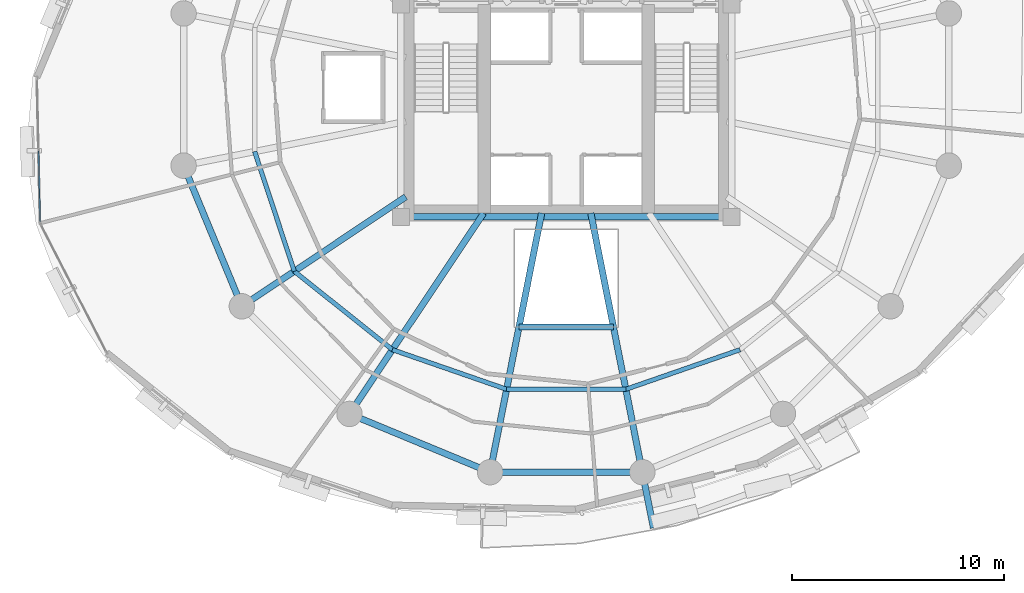
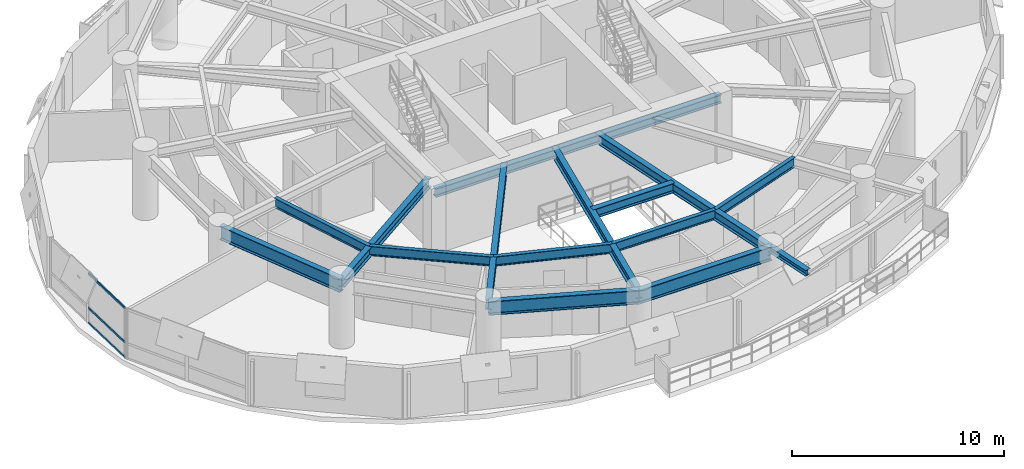
# One storey, part 3 of 15: 15 beams, 3 members, 1 element without a shape of its own.
"""IFC4 building model written with IfcOpenShell, lengths in metres."""

from ifc_helpers import new_model, si_unit, direction, frame, origin, origin_2d, place, context, subcontext, project, spatial, hollow_rectangle, i_section, extrude, material, layer, layer_set, material_profile, profile_set, type_object, element, aggregate, save


model = new_model("IFC4")

# Units and contexts
model_context = context("Model", 3, precision=1e-05, world=origin(), true_north=direction((0.0, 1.0)))
body_context = subcontext(model_context, "Body", "Model", "MODEL_VIEW")
ifc_project = project(units=[si_unit("LENGTHUNIT", "METRE"), si_unit("AREAUNIT", "SQUARE_METRE"), si_unit("VOLUMEUNIT", "CUBIC_METRE"), si_unit("PLANEANGLEUNIT", "RADIAN"), si_unit("MASSUNIT", "GRAM", prefix="KILO"), si_unit("THERMODYNAMICTEMPERATUREUNIT", "KELVIN"), si_unit("POWERUNIT", "WATT")], contexts=[model_context])

# Site, building, storey
site_placement = place(None, origin())
site = spatial("IfcSite", under=ifc_project, at=site_placement, CompositionType="ELEMENT")
building_placement = place(site_placement, origin())
building = spatial("IfcBuilding", under=site, at=building_placement, Name="Ocrelia Relay Tower", CompositionType="ELEMENT")
storey_placement = place(building_placement, frame((0.0, 0.0, 93.800048828125)))
storey = spatial("IfcBuildingStorey", under=building, at=storey_placement, Name="L21", CompositionType="ELEMENT", Elevation=93.800048828125)

# Beams
ifc_material_1 = material(Name="Steel S355", Category="steel")
ifc_material_profile_1 = material_profile(ifc_material_1, i_section(OverallWidth=0.300048828125, OverallDepth=0.330078125, WebThickness=0.009521484375, FlangeThickness=0.0166015625, FilletRadius=0.027099609375, at=origin_2d()), Name="HEA 340")
ifc_profile_set_1 = profile_set([ifc_material_profile_1], Name="Steel S355")
beam_type_1 = type_object("IfcBeamType", Name="BM-HEA340", PredefinedType="BEAM", material=ifc_profile_set_1)
beam_1_placement = place(storey_placement, frame((37.589599609375, 7.95361328125, 3.554931640625), z_axis=(0.19516852136, -0.980769722346, 0.0), x_axis=(0.980769722346, 0.19516852136, 0.0)))
element("IfcBeam", 1, at=beam_1_placement, inside=storey, type_object=beam_type_1, Name="L22 Balcony Cantilever Beam B2-1", PredefinedType="BEAM", context=body_context, shape_type="SweptSolid", body=[
    extrude(i_section(OverallWidth=0.300048828125, OverallDepth=0.330078125, WebThickness=0.009521484375, FlangeThickness=0.0166015625, FilletRadius=0.027099609375, at=origin_2d()), origin(), (0.0, 0.0, 1.0), 2.67578125),
])
ifc_material_profile_2 = material_profile(ifc_material_1, i_section(OverallWidth=0.300048828125, OverallDepth=0.5, WebThickness=0.014404296875, FlangeThickness=0.028076171875, FilletRadius=0.027099609375, at=origin_2d()), Name="HEB 500")
ifc_profile_set_2 = profile_set([ifc_material_profile_2], Name="Steel S355")
beam_type_2 = type_object("IfcBeamType", Name="BM-HEB500", PredefinedType="BEAM", material=ifc_profile_set_2)
beam_2_placement = place(storey_placement, frame((26.199951171875, 20.0, 3.469970703125), z_axis=(1.0, 0.0, 0.0), x_axis=(0.0, 1.0, 0.0)))
element("IfcBeam", 2, at=beam_2_placement, inside=storey, type_object=beam_type_2, Name="L21 Core Pilaster Tie Beam S", PredefinedType="BEAM", context=body_context, shape_type="SweptSolid", body=[
    extrude(i_section(OverallWidth=0.300048828125, OverallDepth=0.5, WebThickness=0.014404296875, FlangeThickness=0.028076171875, FilletRadius=0.027099609375, at=origin_2d()), origin(), (0.0, 0.0, 1.0), 15.60009765625),
])
ifc_material_profile_3 = material_profile(ifc_material_1, i_section(OverallWidth=0.300048828125, OverallDepth=0.550048828125, WebThickness=0.014892578125, FlangeThickness=0.029052734375, FilletRadius=0.027099609375, at=origin_2d()), Name="HEB 550")
ifc_profile_set_3 = profile_set([ifc_material_profile_3], Name="Steel S355")
beam_type_3 = type_object("IfcBeamType", Name="BM-HEB550", PredefinedType="BEAM", material=ifc_profile_set_3)
beam_3_placement = place(storey_placement, frame((18.700927734375, 15.777587890625, 3.445068359375), z_axis=(0.831472030531, 0.555566613868, 0.0), x_axis=(-0.555566613868, 0.831472030531, 0.0)))
element("IfcBeam", 3, at=beam_3_placement, inside=storey, type_object=beam_type_3, Name="L21 Radial Floor Girder R10", PredefinedType="BEAM", context=body_context, shape_type="SweptSolid", body=[
    extrude(i_section(OverallWidth=0.300048828125, OverallDepth=0.550048828125, WebThickness=0.014892578125, FlangeThickness=0.029052734375, FilletRadius=0.027099609375, at=origin_2d()), origin(), (0.0, 0.0, 1.0), 9.295654296875),
])
beam_4_placement = place(storey_placement, frame((23.777587890625, 10.700927734375, 3.445068359375), z_axis=(0.555565661158, 0.831472667105, 0.0), x_axis=(-0.831472667105, 0.555565661158, 0.0)))
element("IfcBeam", 4, at=beam_4_placement, inside=storey, type_object=beam_type_3, Name="L21 Radial Floor Girder R11", PredefinedType="BEAM", context=body_context, shape_type="SweptSolid", body=[
    extrude(i_section(OverallWidth=0.300048828125, OverallDepth=0.550048828125, WebThickness=0.014892578125, FlangeThickness=0.029052734375, FilletRadius=0.027099609375, at=origin_2d()), origin(), (0.0, 0.0, 1.0), 11.38818359375),
])
for number, where, z_axis, x_axis, name in (
    (5, (30.410400390625, 7.95361328125, 3.445068359375), (0.195086983979, 0.980785944374, 0.0), (-0.980785944374, 0.195086983979, 0.0), "L21 Radial Floor Girder R12"),
    (6, (37.589599609375, 7.95361328125, 3.445068359375), (-0.195086983979, 0.980785944374, 0.0), (-0.980785944374, -0.195086983979, 0.0), "L21 Radial Floor Girder R13"),
):
    element("IfcBeam", number, at=place(storey_placement, frame(where, z_axis=z_axis, x_axis=x_axis)), inside=storey, type_object=beam_type_3, Name=name, PredefinedType="BEAM", context=body_context, shape_type="SweptSolid", body=[
        extrude(i_section(OverallWidth=0.300048828125, OverallDepth=0.550048828125, WebThickness=0.014892578125, FlangeThickness=0.029052734375, FilletRadius=0.027099609375, at=origin_2d()), origin(), (0.0, 0.0, 1.0), 12.45556640625),
    ])
beam_5_placement = place(storey_placement, frame((31.772216796875, 14.800048828125, 3.445068359375), z_axis=(1.0, 0.0, 0.0), x_axis=(0.0, 1.0, 0.0)))
element("IfcBeam", 7, at=beam_5_placement, inside=storey, type_object=beam_type_3, Name="L21 Atrium South Trimmer Beam", PredefinedType="BEAM", context=body_context, shape_type="SweptSolid", body=[
    extrude(i_section(OverallWidth=0.300048828125, OverallDepth=0.550048828125, WebThickness=0.014892578125, FlangeThickness=0.029052734375, FilletRadius=0.027099609375, at=origin_2d()), origin(), (0.0, 0.0, 1.0), 4.45556640625),
])
ifc_material_profile_4 = material_profile(ifc_material_1, i_section(OverallWidth=0.300048828125, OverallDepth=0.800048828125, WebThickness=0.017578125, FlangeThickness=0.032958984375, FilletRadius=0.030029296875, at=origin_2d()), Name="HEB 800")
ifc_profile_set_4 = profile_set([ifc_material_profile_4], Name="Steel S355")
beam_type_4 = type_object("IfcBeamType", Name="BM-HEB800", PredefinedType="BEAM", material=ifc_profile_set_4)
for number, where, z_axis, x_axis, name in (
    (8, (15.95361328125, 22.410400390625, 3.320068359375), (0.382673155247, -0.923883789366, 0.0), (0.923883789366, 0.382673155247, 0.0), "L21 Perimeter Spandrel Beam S09"),
    (9, (23.777587890625, 10.700927734375, 3.320068359375), (0.923883789366, -0.382673155247, 0.0), (0.382673155247, 0.923883789366, 0.0), "L21 Perimeter Spandrel Beam S11"),
    (10, (30.410400390625, 7.95361328125, 3.320068359375), (1.0, 0.0, 0.0), (0.0, 1.0, 0.0), "L21 Perimeter Spandrel Beam S12"),
):
    element("IfcBeam", number, at=place(storey_placement, frame(where, z_axis=z_axis, x_axis=x_axis)), inside=storey, type_object=beam_type_4, Name=name, PredefinedType="BEAM", context=body_context, shape_type="SweptSolid", body=[
        extrude(i_section(OverallWidth=0.300048828125, OverallDepth=0.800048828125, WebThickness=0.017578125, FlangeThickness=0.032958984375, FilletRadius=0.030029296875, at=origin_2d()), origin(), (0.0, 0.0, 1.0), 7.17919921875),
    ])
ifc_material_profile_5 = material_profile(ifc_material_1, i_section(OverallWidth=0.2099609375, OverallDepth=0.550048828125, WebThickness=0.010986328125, FlangeThickness=0.01708984375, FilletRadius=0.02392578125, at=origin_2d()), Name="IPE 550")
ifc_profile_set_5 = profile_set([ifc_material_profile_5], Name="Steel S355")
beam_type_5 = type_object("IfcBeamType", Name="BM-IPE550", PredefinedType="JOIST", material=ifc_profile_set_5)
beam_6_placement = place(storey_placement, frame((19.305908203125, 23.0771484375, 3.445068359375), z_axis=(0.314121352003, -0.949382839647, 0.0), x_axis=(0.949382839647, 0.314121352003, 0.0)))
element("IfcBeam", 11, at=beam_6_placement, inside=storey, type_object=beam_type_5, Name="L21 Secondary Floor Joist J09", PredefinedType="JOIST", context=body_context, shape_type="SweptSolid", body=[
    extrude(i_section(OverallWidth=0.2099609375, OverallDepth=0.550048828125, WebThickness=0.010986328125, FlangeThickness=0.01708984375, FilletRadius=0.02392578125, at=origin_2d()), origin(), (0.0, 0.0, 1.0), 5.947998046875),
])
beam_7_placement = place(storey_placement, frame((21.17431640625, 17.43017578125, 3.445068359375), z_axis=(0.781130070991, -0.62436833055, 0.0), x_axis=(0.62436833055, 0.781130070991, 0.0)))
element("IfcBeam", 12, at=beam_7_placement, inside=storey, type_object=beam_type_5, Name="L21 Secondary Floor Joist J10", PredefinedType="JOIST", context=body_context, shape_type="SweptSolid", body=[
    extrude(i_section(OverallWidth=0.2099609375, OverallDepth=0.550048828125, WebThickness=0.010986328125, FlangeThickness=0.01708984375, FilletRadius=0.02392578125, at=origin_2d()), origin(), (0.0, 0.0, 1.0), 5.92431640625),
])
beam_8_placement = place(storey_placement, frame((25.802001953125, 13.731201171875, 3.445068359375), z_axis=(0.944767437111, -0.327741498401, 0.0), x_axis=(0.327741498401, 0.944767437111, 0.0)))
element("IfcBeam", 13, at=beam_8_placement, inside=storey, type_object=beam_type_5, Name="L21 Secondary Floor Joist J11", PredefinedType="JOIST", context=body_context, shape_type="SweptSolid", body=[
    extrude(i_section(OverallWidth=0.2099609375, OverallDepth=0.550048828125, WebThickness=0.010986328125, FlangeThickness=0.01708984375, FilletRadius=0.02392578125, at=origin_2d()), origin(), (0.0, 0.0, 1.0), 5.700927734375),
])
beam_9_placement = place(storey_placement, frame((31.18798828125, 11.86279296875, 3.445068359375), z_axis=(1.0, 0.0, 0.0), x_axis=(0.0, 1.0, 0.0)))
element("IfcBeam", 14, at=beam_9_placement, inside=storey, type_object=beam_type_5, Name="L21 Secondary Floor Joist J12", PredefinedType="JOIST", context=body_context, shape_type="SweptSolid", body=[
    extrude(i_section(OverallWidth=0.2099609375, OverallDepth=0.550048828125, WebThickness=0.010986328125, FlangeThickness=0.01708984375, FilletRadius=0.02392578125, at=origin_2d()), origin(), (0.0, 0.0, 1.0), 5.6240234375),
])
beam_10_placement = place(storey_placement, frame((36.81201171875, 11.86279296875, 3.445068359375), z_axis=(0.944767437111, 0.327741498401, 0.0), x_axis=(-0.327741498401, 0.944767437111, 0.0)))
element("IfcBeam", 15, at=beam_10_placement, inside=storey, type_object=beam_type_5, Name="L21 Secondary Floor Joist J13", PredefinedType="JOIST", context=body_context, shape_type="SweptSolid", body=[
    extrude(i_section(OverallWidth=0.2099609375, OverallDepth=0.550048828125, WebThickness=0.010986328125, FlangeThickness=0.01708984375, FilletRadius=0.02392578125, at=origin_2d()), origin(), (0.0, 0.0, 1.0), 5.700927734375),
])

# Curtain wall, members
ifc_material_2 = material(Name="Aluminium and solar-control low-E glass", Category="aluminium")
ifc_layer = layer(ifc_material_2, 0.179931640625, Name="Aluminium and solar-control low-E glass")
ifc_layer_set = layer_set([ifc_layer], Name="Aluminium and solar-control low-E glass")
curtain_wall_type = type_object("IfcCurtainWallType", Name="CW-SYS-Z2-SWIT", PredefinedType="NOTDEFINED", material=ifc_layer_set)
curtain_wall_placement = place(storey_placement, origin())
curtain_wall = element("IfcCurtainWall", 16, at=curtain_wall_placement, inside=storey, type_object=curtain_wall_type, Name="L21 Elliptical Tower Curtain Wall Bay 09", PredefinedType="NOTDEFINED")
ifc_material_3 = material(Name="Anodised bronze aluminium", Category="aluminium")
ifc_material_profile_6 = material_profile(ifc_material_3, hollow_rectangle(XDim=0.06005859375, YDim=0.1201171875, WallThickness=0.0048828125, at=origin_2d()), Name="CW-TRN-120x60")
ifc_profile_set_6 = profile_set([ifc_material_profile_6], Name="Anodised bronze aluminium")
member_type = type_object("IfcMemberType", Name="CW-SYS-Z2-SWIT-TRN", PredefinedType="USERDEFINED", material=ifc_profile_set_6)
member_1_placement = place(storey_placement, frame((9.111572265625, 23.10205078125, 0.030029296875), z_axis=(0.02233220555, -0.999750605199, 0.0), x_axis=(0.999750605199, 0.02233220555, 0.0)))
member_1 = element("IfcMember", 17, at=member_1_placement, type_object=member_type, Name="CW-Z2 transom 2.1", ObjectType="TRANSOM", PredefinedType="USERDEFINED", context=body_context, shape_type="SweptSolid", body=[
    extrude(hollow_rectangle(XDim=0.06005859375, YDim=0.1201171875, WallThickness=0.0048828125, at=origin_2d()), origin(), (0.0, 0.0, 1.0), 3.334228515625),
])
member_2_placement = place(storey_placement, frame((9.111572265625, 23.10205078125, 0.89990234375), z_axis=(0.02233220555, -0.999750605199, 0.0), x_axis=(0.999750605199, 0.02233220555, 0.0)))
member_2 = element("IfcMember", 18, at=member_2_placement, type_object=member_type, Name="CW-Z2 transom 2.2", ObjectType="TRANSOM", PredefinedType="USERDEFINED", context=body_context, shape_type="SweptSolid", body=[
    extrude(hollow_rectangle(XDim=0.06005859375, YDim=0.1201171875, WallThickness=0.0048828125, at=origin_2d()), origin(), (0.0, 0.0, 1.0), 3.334228515625),
])
member_3_placement = place(storey_placement, frame((9.111572265625, 23.10205078125, 2.869873046875), z_axis=(0.02233220555, -0.999750605199, 0.0), x_axis=(0.999750605199, 0.02233220555, 0.0)))
member_3 = element("IfcMember", 19, at=member_3_placement, type_object=member_type, Name="CW-Z2 transom 2.3", ObjectType="TRANSOM", PredefinedType="USERDEFINED", context=body_context, shape_type="SweptSolid", body=[
    extrude(hollow_rectangle(XDim=0.06005859375, YDim=0.1201171875, WallThickness=0.0048828125, at=origin_2d()), origin(), (0.0, 0.0, 1.0), 3.334228515625),
])
aggregate(curtain_wall, [member_1, member_2, member_3])

save(model, "model.ifc")
